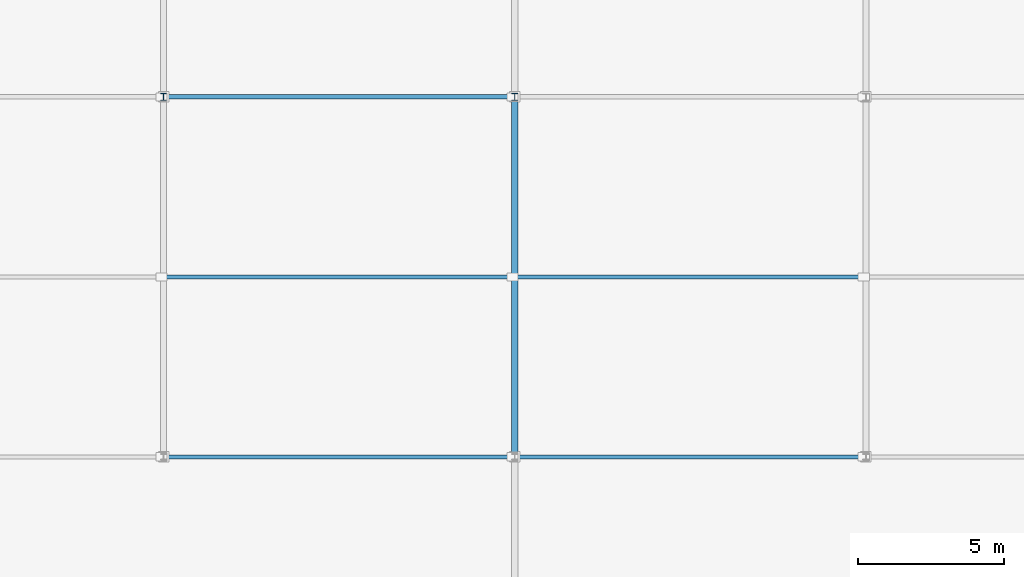
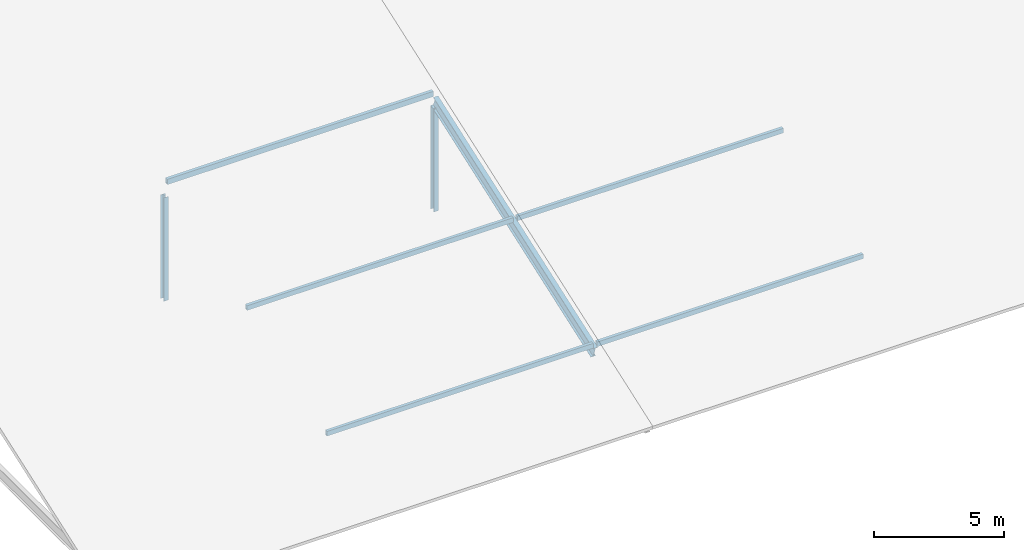
# One storey, part 3 of 42: 7 members, 1 beam.
"""IFC4 building model written with IfcOpenShell, lengths in metres."""

import ifcopenshell
import ifcopenshell.guid

model = None  # the IFC model being written
_history = None  # IfcOwnerHistory: only IFC2X3 demands one
_inside = {}  # id of a spatial element -> (the spatial element, [elements in it])
_under = {}  # id of a project, library or spatial element -> (it, [spatial elements below it])
_declared = {}  # id of a project -> (the project, [libraries it declares])
_typed = {}  # id of a type object -> (the type object, [elements of that type])
_made_of = {}  # id of a material, layer set ... -> (it, [elements and type objects made of it])


def new_model(schema):
    """Start an empty IFC model of exactly this schema.

    Asked for "IFC4X3", IfcOpenShell would pick the latest addendum, in which some entities
    have other attributes; the version numbers below select the first issue.
    IFC2X3 requires an IfcOwnerHistory on every rooted entity: one is made here for all.
    """
    global model, _history
    if schema == "IFC4X3":
        model = ifcopenshell.file(schema_version=(4, 3, 0, 0))
    else:
        model = ifcopenshell.file(schema=schema)
    _inside.clear()
    _under.clear()
    _declared.clear()
    _typed.clear()
    _made_of.clear()
    _history = None
    if model.schema == "IFC2X3":
        org = make("IfcOrganization", Name="unknown")
        user = make(
            "IfcPersonAndOrganization",
            ThePerson=make("IfcPerson", FamilyName="unknown"),
            TheOrganization=org,
        )
        app = make(
            "IfcApplication",
            ApplicationDeveloper=org,
            Version="unknown",
            ApplicationFullName="unknown",
            ApplicationIdentifier="unknown",
        )
        _history = make(
            "IfcOwnerHistory",
            OwningUser=user,
            OwningApplication=app,
            ChangeAction="ADDED",
            CreationDate=0,
        )
    return model


def make(cls, **values):
    """One entity of the class cls with the attributes given. An attribute that is None is left unset."""
    return model.create_entity(
        cls, **{name: value for name, value in values.items() if value is not None}
    )


def rooted(cls, **values):
    """An entity with a GlobalId (a new one), such as an element, a storey or a relation."""
    return make(cls, GlobalId=ifcopenshell.guid.new(), OwnerHistory=_history, **values)


def si_unit(unit_type, name, prefix=None):
    """IfcSIUnit, for example si_unit("LENGTHUNIT", "METRE", prefix="MILLI")."""
    return make("IfcSIUnit", UnitType=unit_type, Prefix=prefix, Name=name)


def assignment(units):
    """IfcUnitAssignment: the units of a project."""
    return None if units is None else make("IfcUnitAssignment", Units=units)


def point(xyz):
    """IfcCartesianPoint."""
    return None if xyz is None else make("IfcCartesianPoint", Coordinates=xyz)


def direction(xyz):
    """IfcDirection."""
    return None if xyz is None else make("IfcDirection", DirectionRatios=xyz)


def frame(location, z_axis=None, x_axis=None):
    """IfcAxis2Placement3D, a coordinate frame: its origin and axes. An axis left out is left unset."""
    return make(
        "IfcAxis2Placement3D",
        Location=point(location),
        Axis=direction(z_axis),
        RefDirection=direction(x_axis),
    )


def frame_2d(location, x_axis=None):
    """IfcAxis2Placement2D, a coordinate frame in the plane: its origin and x axis."""
    return make(
        "IfcAxis2Placement2D", Location=point(location), RefDirection=direction(x_axis)
    )


def origin():
    """The frame at (0, 0, 0) with its axes left unset."""
    return frame((0.0, 0.0, 0.0))


def origin_2d():
    """The frame at (0, 0) in the plane with its x axis left unset."""
    return frame_2d((0.0, 0.0))


def place(relative_to, where):
    """IfcLocalPlacement: puts the frame where relative to a parent placement (None: the world)."""
    return make(
        "IfcLocalPlacement", PlacementRelTo=relative_to, RelativePlacement=where
    )


def context(
    kind, dimensions, precision=None, world=None, true_north=None, identifier=None
):
    """IfcGeometricRepresentationContext, for example the 3D "Model" context."""
    return make(
        "IfcGeometricRepresentationContext",
        ContextIdentifier=identifier,
        ContextType=kind,
        CoordinateSpaceDimension=dimensions,
        Precision=precision,
        WorldCoordinateSystem=world,
        TrueNorth=true_north,
    )


def subcontext(parent, identifier, kind, view, scale=None):
    """IfcGeometricRepresentationSubContext, for example "Body" below "Model"."""
    return make(
        "IfcGeometricRepresentationSubContext",
        ContextIdentifier=identifier,
        ContextType=kind,
        ParentContext=parent,
        TargetScale=scale,
        TargetView=view,
    )


def project(units=None, contexts=None):
    """IfcProject with its units and contexts."""
    return rooted(
        "IfcProject",
        Name="project",
        RepresentationContexts=contexts,
        UnitsInContext=assignment(units),
    )


def spatial(cls, under=None, at=None, **own):
    """A site, building, storey or space (cls), placed at a placement, below another one or the project."""
    s = rooted(cls, ObjectPlacement=at, **own)
    if under is not None:
        _under.setdefault(under.id(), (under, []))[1].append(s)
    return s


def profile(cls, at=None, kind="AREA", **sizes):
    """A parametric profile (cls). Its sizes go by their IFC names, for example OverallWidth=200.0."""
    return make(cls, ProfileType=kind, Position=at, **sizes)


def hollow_rectangle(**sizes):
    """IfcRectangleHollowProfileDef."""
    return profile("IfcRectangleHollowProfileDef", **sizes)


def i_section(**sizes):
    """IfcIShapeProfileDef."""
    return profile("IfcIShapeProfileDef", **sizes)


def extrude(swept, where, along, depth):
    """IfcExtrudedAreaSolid: the profile swept, set in the frame where, extruded along a direction by depth."""
    return make(
        "IfcExtrudedAreaSolid",
        SweptArea=swept,
        Position=where,
        ExtrudedDirection=direction(along),
        Depth=depth,
    )


def shape(context_of_items, identifier, shape_type, items):
    """IfcShapeRepresentation: the items that make up one representation, for example the "Body"."""
    return make(
        "IfcShapeRepresentation",
        ContextOfItems=context_of_items,
        RepresentationIdentifier=identifier,
        RepresentationType=shape_type,
        Items=items,
    )


def material(Name=None, Category=None):
    """IfcMaterial."""
    return make("IfcMaterial", Name=Name, Category=Category)


def material_profile(
    of_material, cross_section, Name=None, Category=None, Priority=None
):
    """IfcMaterialProfile: a cross section and its material."""
    return make(
        "IfcMaterialProfile",
        Name=Name,
        Material=of_material,
        Profile=cross_section,
        Priority=Priority,
        Category=Category,
    )


def profile_set(profiles, Name=None, composite=None):
    """IfcMaterialProfileSet."""
    return make(
        "IfcMaterialProfileSet",
        Name=Name,
        MaterialProfiles=profiles,
        CompositeProfile=composite,
    )


def made_of(thing, what):
    """Note that an element or type object is made of a material, layer set ...; save() writes the relation."""
    if what is not None:
        _made_of.setdefault(what.id(), (what, []))[1].append(thing)
    return thing


def type_object(cls, material=None, **own):
    """A type object (cls), such as IfcWallType, which elements share."""
    return made_of(rooted(cls, **own), material)


def element(
    cls,
    number,
    at=None,
    inside=None,
    cuts=None,
    type_object=None,
    material=None,
    context=None,
    identifier="Body",
    shape_type=None,
    held_by="IfcProductDefinitionShape",
    body=None,
    shapes=None,
    **own,
):
    """One element of the class cls, such as IfcWall. Its Tag is "e" and its number.

    at: its placement. inside: the storey or other place that contains it. cuts: it is an
    opening in that element (IfcRelVoidsElement). A single representation is given by context,
    identifier, shape_type and body (its items); several are given by shapes. held_by: the class
    of the entity that holds the representations. save() writes the other relations.
    """
    e = rooted(cls, Tag="e%d" % number, ObjectPlacement=at, **own)
    if body is not None:
        shapes = [shape(context, identifier, shape_type, body)]
    if shapes is not None:
        e.Representation = make(held_by, Representations=shapes)
    if inside is not None:
        _inside.setdefault(inside.id(), (inside, []))[1].append(e)
    if cuts is not None:
        rooted(
            "IfcRelVoidsElement", RelatingBuildingElement=cuts, RelatedOpeningElement=e
        )
    if type_object is not None:
        _typed.setdefault(type_object.id(), (type_object, []))[1].append(e)
    return made_of(e, material)


def aggregate(whole, parts):
    """IfcRelAggregates: a whole, such as a stair, and the parts it consists of."""
    return rooted("IfcRelAggregates", RelatingObject=whole, RelatedObjects=parts)


def save(model, path):
    """Write the relations noted so far, then the file.

    IfcRelAggregates (storeys below a building ...), IfcRelContainedInSpatialStructure (elements
    in a storey), IfcRelDefinesByType, IfcRelAssociatesMaterial and IfcRelDeclares: one each for
    every whole, place, type object, material and project.
    """
    for whole, parts in _under.values():
        aggregate(whole, parts)
    for where, things in _inside.values():
        rooted(
            "IfcRelContainedInSpatialStructure",
            RelatedElements=things,
            RelatingStructure=where,
        )
    for kind, things in _typed.values():
        rooted("IfcRelDefinesByType", RelatedObjects=things, RelatingType=kind)
    for what, things in _made_of.values():
        rooted("IfcRelAssociatesMaterial", RelatedObjects=things, RelatingMaterial=what)
    for by, libraries in _declared.values():
        rooted("IfcRelDeclares", RelatingContext=by, RelatedDefinitions=libraries)
    model.write(path)


model = new_model("IFC4")

# Units and contexts
model_context = context("Model", 3, precision=1e-05, world=origin(), true_north=direction((0.0, 1.0)))
body_context = subcontext(model_context, "Body", "Model", "MODEL_VIEW")
ifc_project = project(units=[si_unit("LENGTHUNIT", "METRE"), si_unit("AREAUNIT", "SQUARE_METRE"), si_unit("VOLUMEUNIT", "CUBIC_METRE"), si_unit("PLANEANGLEUNIT", "RADIAN"), si_unit("MASSUNIT", "GRAM", prefix="KILO")], contexts=[model_context])

# Site, building, storey
site_placement = place(None, origin())
site = spatial("IfcSite", under=ifc_project, at=site_placement, CompositionType="ELEMENT")
building_placement = place(site_placement, origin())
building = spatial("IfcBuilding", under=site, at=building_placement, Name="Kelmvaro Bay Concert Hall", CompositionType="ELEMENT")
storey_placement = place(building_placement, frame((0.0, 0.0, 26.699951171875)))
storey = spatial("IfcBuildingStorey", under=building, at=storey_placement, Name="RF", CompositionType="ELEMENT", Elevation=26.699951171875)

# Members
ifc_material_1 = material(Name="Steel ASTM A992 Grade 50", Category="steel")
ifc_material_profile_1 = material_profile(ifc_material_1, i_section(OverallWidth=0.201904296875, OverallDepth=0.2470703125, WebThickness=0.00732421875, FlangeThickness=0.010986328125, at=origin_2d()), Name="W10X33")
ifc_profile_set_1 = profile_set([ifc_material_profile_1], Name="Steel ASTM A992 Grade 50")
member_type_1 = type_object("IfcMemberType", Name="Crystal Crown Queen Post W10x33", PredefinedType="STRUT", material=ifc_profile_set_1)
for number, where, z_axis, x_axis, name in (
    (1, (12.0, 16.800048828125, -12.9150390625), (0.0, 0.0, 1.0), (1.0, 0.0, 0.0), "V3 Crystal Roof Post 007"),
    (2, (24.0, 16.800048828125, -12.9150390625), (0.0, 0.0, 1.0), (1.0, 0.0, 0.0), "V3 Crystal Roof Post 012"),
):
    element("IfcMember", number, at=place(storey_placement, frame(where, z_axis=z_axis, x_axis=x_axis)), inside=storey, type_object=member_type_1, Name=name, PredefinedType="STRUT", context=body_context, shape_type="SweptSolid", body=[
        extrude(i_section(OverallWidth=0.201904296875, OverallDepth=0.2470703125, WebThickness=0.00732421875, FlangeThickness=0.010986328125, at=origin_2d()), origin(), (0.0, 0.0, 1.0), 4.862548828125),
    ])
ifc_material_2 = material(Name="Steel ASTM A500 Grade C", Category="steel")
ifc_material_profile_2 = material_profile(ifc_material_2, hollow_rectangle(XDim=0.139892578125, YDim=0.219970703125, WallThickness=0.010009765625, at=origin_2d()), Name="HSS220X140X10")
ifc_profile_set_2 = profile_set([ifc_material_profile_2], Name="Steel ASTM A500 Grade C")
member_type_2 = type_object("IfcMemberType", Name="Crystal Roof Eave Purlin HSS220x140x10", PredefinedType="PURLIN", material=ifc_profile_set_2)
for number, where, z_axis, x_axis, name in (
    (3, (12.0849609375, 4.5, -11.773193359375), (1.0, 0.0, 0.0), (0.0, 1.0, 0.0), "V3 Crystal Roof Purlin 002"),
    (4, (24.0849609375, 4.5, -11.773193359375), (1.0, 0.0, 0.0), (0.0, 1.0, 0.0), "V3 Crystal Roof Purlin 003"),
    (5, (12.0849609375, 10.64990234375, -9.595458984375), (1.0, 0.0, 0.0), (0.0, 1.0, 0.0), "V3 Crystal Roof Purlin 006"),
    (6, (24.0849609375, 10.64990234375, -9.595458984375), (1.0, 0.0, 0.0), (0.0, 1.0, 0.0), "V3 Crystal Roof Purlin 007"),
):
    element("IfcMember", number, at=place(storey_placement, frame(where, z_axis=z_axis, x_axis=x_axis)), inside=storey, type_object=member_type_2, Name=name, PredefinedType="PURLIN", context=body_context, shape_type="SweptSolid", body=[
        extrude(hollow_rectangle(XDim=0.139892578125, YDim=0.219970703125, WallThickness=0.010009765625, at=origin_2d()), origin(), (0.0, 0.0, 1.0), 11.830078125),
    ])
ifc_material_3 = material(Name="Steel ASTM A500 Grade C", Category="steel")
ifc_material_profile_3 = material_profile(ifc_material_3, hollow_rectangle(XDim=0.14990234375, YDim=0.25, WallThickness=0.010009765625, at=origin_2d()), Name="HSS250X150X10")
ifc_profile_set_3 = profile_set([ifc_material_profile_3], Name="Steel ASTM A500 Grade C")
member_type_3 = type_object("IfcMemberType", Name="Crystal Roof Mid Purlin HSS250x150x10", PredefinedType="PURLIN", material=ifc_profile_set_3)
member_placement = place(storey_placement, frame((12.0849609375, 16.800048828125, -7.402587890625), z_axis=(1.0, 0.0, 0.0), x_axis=(0.0, 1.0, 0.0)))
element("IfcMember", 7, at=member_placement, inside=storey, type_object=member_type_3, Name="V3 Crystal Roof Purlin 010", PredefinedType="PURLIN", context=body_context, shape_type="SweptSolid", body=[
    extrude(hollow_rectangle(XDim=0.14990234375, YDim=0.25, WallThickness=0.010009765625, at=origin_2d()), origin(), (0.0, 0.0, 1.0), 11.830078125),
])

# Beam
ifc_material_4 = material(Name="Steel ASTM A992 Grade 50", Category="steel")
ifc_material_profile_4 = material_profile(ifc_material_4, i_section(OverallWidth=0.2119140625, OverallDepth=0.5439453125, WebThickness=0.01318359375, FlangeThickness=0.021240234375, at=origin_2d()), Name="W21X83")
ifc_profile_set_4 = profile_set([ifc_material_profile_4], Name="Steel ASTM A992 Grade 50")
beam_type = type_object("IfcBeamType", Name="Crystal Roof Sloped Rafter W21x83", PredefinedType="BEAM", material=ifc_profile_set_4)
beam_placement = place(storey_placement, frame((24.0, 4.5, -12.151123046875), z_axis=(0.0, 0.942646482344, 0.333792764038), x_axis=(-1.0, 0.0, 0.0)))
element("IfcBeam", 8, at=beam_placement, inside=storey, type_object=beam_type, Name="V3 Crystal Roof Rafter 011", PredefinedType="BEAM", context=body_context, shape_type="SweptSolid", body=[
    extrude(i_section(OverallWidth=0.2119140625, OverallDepth=0.5439453125, WebThickness=0.01318359375, FlangeThickness=0.021240234375, at=origin_2d()), origin(), (0.0, 0.0, 1.0), 13.04833984375),
])

save(model, "model.ifc")
